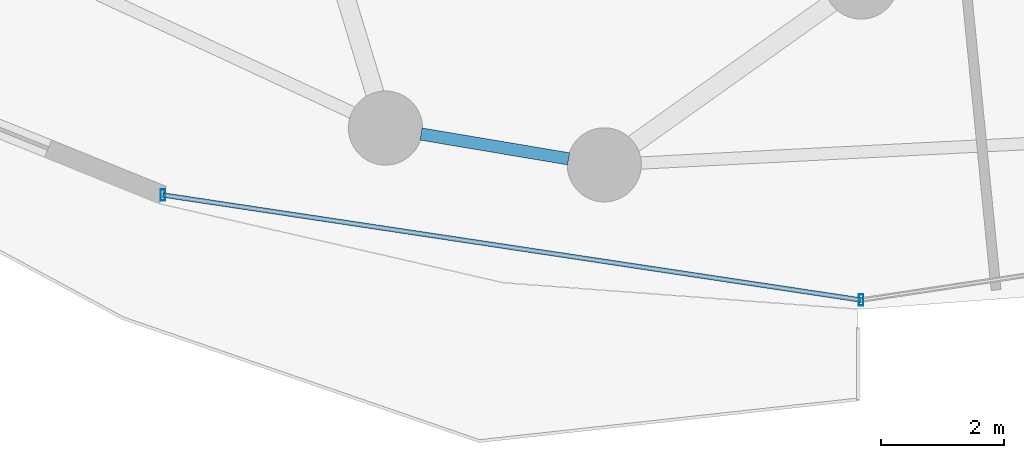
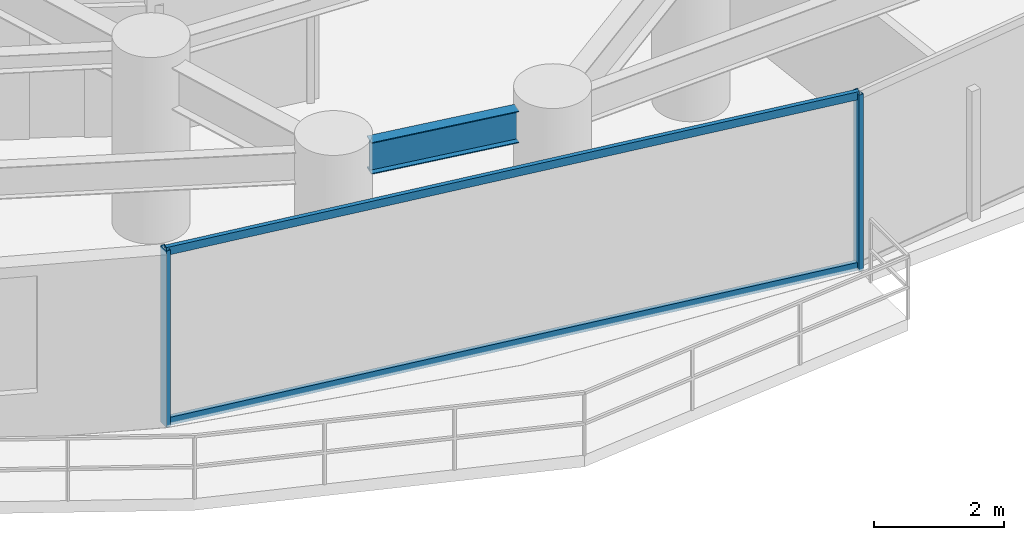
# One storey, part 5 of 33: 4 members, 1 beam, 1 element without a shape of its own.
"""IFC4 building model written with IfcOpenShell, lengths in metres."""

from ifc_helpers import new_model, si_unit, direction, frame, origin, origin_2d, place, context, subcontext, project, spatial, hollow_rectangle, i_section, extrude, material, material_profile, profile_set, type_object, element, aggregate, save


model = new_model("IFC4")

# Units and contexts
model_context = context("Model", 3, precision=1e-05, world=origin(), true_north=direction((0.0, 1.0)))
body_context = subcontext(model_context, "Body", "Model", "MODEL_VIEW")
ifc_project = project(units=[si_unit("LENGTHUNIT", "METRE"), si_unit("AREAUNIT", "SQUARE_METRE"), si_unit("VOLUMEUNIT", "CUBIC_METRE"), si_unit("PLANEANGLEUNIT", "RADIAN"), si_unit("MASSUNIT", "GRAM", prefix="KILO")], contexts=[model_context])

# Site, building, storey
site_placement = place(None, origin())
site = spatial("IfcSite", under=ifc_project, at=site_placement, CompositionType="ELEMENT")
building_placement = place(site_placement, origin())
building = spatial("IfcBuilding", under=site, at=building_placement, Name="Vorneva Point Tower", CompositionType="ELEMENT")
storey_placement = place(building_placement, frame((0.0, 0.0, 59.0)))
storey = spatial("IfcBuildingStorey", under=building, at=storey_placement, Name="L15", CompositionType="ELEMENT", Elevation=59.0)

# Beam
ifc_material_1 = material(Name="Steel S355", Category="steel")
ifc_material_profile_1 = material_profile(ifc_material_1, i_section(OverallWidth=0.198974609375, OverallDepth=0.595947265625, WebThickness=0.010009765625, FlangeThickness=0.014892578125, at=origin_2d()), Name="60B1")
ifc_profile_set_1 = profile_set([ifc_material_profile_1], Name="Steel S355")
beam_type = type_object("IfcBeamType", Name="BM-SPN-60B1", PredefinedType="SPANDREL", material=ifc_profile_set_1)
beam_placement = place(storey_placement, frame((30.873779296875, 6.33837890625, 2.94189453125), z_axis=(0.986169723711, -0.165738577391, 0.0), x_axis=(0.165738577391, 0.986169723711, 0.0)))
element("IfcBeam", 1, at=beam_placement, inside=storey, type_object=beam_type, Name="L15 Perimeter Spandrel Ring Beam 12", PredefinedType="SPANDREL", context=body_context, shape_type="SweptSolid", body=[
    extrude(i_section(OverallWidth=0.198974609375, OverallDepth=0.595947265625, WebThickness=0.010009765625, FlangeThickness=0.014892578125, at=origin_2d()), origin(), (0.0, 0.0, 1.0), 2.423095703125),
])

# Curtain wall, members
ifc_material_2 = material(Name="Pale anodised aluminium", Category="aluminium")
curtain_wall_type = type_object("IfcCurtainWallType", Name="CW-HTL-SYS", PredefinedType="NOTDEFINED", material=ifc_material_2)
curtain_wall_placement = place(storey_placement, origin())
curtain_wall = element("IfcCurtainWall", 2, at=curtain_wall_placement, inside=storey, type_object=curtain_wall_type, Name="L15 Unitised Curtain Wall CW-L15-R04", PredefinedType="NOTDEFINED")
ifc_material_profile_2 = material_profile(ifc_material_2, hollow_rectangle(XDim=0.074951171875, YDim=0.179931640625, WallThickness=0.00390625, at=origin_2d()), Name="AL-MUL 180x75x4")
ifc_profile_set_2 = profile_set([ifc_material_profile_2], Name="Pale anodised aluminium")
member_type_1 = type_object("IfcMemberType", Name="CW-MUL-180", PredefinedType="MULLION", material=ifc_profile_set_2)
member_1_placement = place(storey_placement, frame((26.691650390625, 5.351318359375, -0.0400390625), z_axis=(0.0, 0.0, 1.0), x_axis=(1.0, 0.0, 0.0)))
member_1 = element("IfcMember", 3, at=member_1_placement, type_object=member_type_1, Name="CW-L15-R04 Mullion 01", PredefinedType="MULLION", context=body_context, shape_type="SweptSolid", body=[
    extrude(hollow_rectangle(XDim=0.074951171875, YDim=0.179931640625, WallThickness=0.00390625, at=origin_2d()), origin(), (0.0, 0.0, 1.0), 3.31005859375),
])
member_2_placement = place(storey_placement, frame((38.0, 3.64990234375, -0.0400390625), z_axis=(0.0, 0.0, 1.0), x_axis=(1.0, 0.0, 0.0)))
member_2 = element("IfcMember", 4, at=member_2_placement, type_object=member_type_1, Name="CW-L15-R04 Mullion 02", PredefinedType="MULLION", context=body_context, shape_type="SweptSolid", body=[
    extrude(hollow_rectangle(XDim=0.074951171875, YDim=0.179931640625, WallThickness=0.00390625, at=origin_2d()), origin(), (0.0, 0.0, 1.0), 3.31005859375),
])
ifc_material_profile_3 = material_profile(ifc_material_2, hollow_rectangle(XDim=0.074951171875, YDim=0.14990234375, WallThickness=0.00390625, at=origin_2d()), Name="AL-TRN 150x75x4")
ifc_profile_set_3 = profile_set([ifc_material_profile_3], Name="Pale anodised aluminium")
member_type_2 = type_object("IfcMemberType", Name="CW-TRN-150", PredefinedType="USERDEFINED", material=ifc_profile_set_3)
member_3_placement = place(storey_placement, frame((26.691650390625, 5.351318359375, 0.02001953125), z_axis=(0.988870014575, -0.148782036131, 0.0), x_axis=(0.148782036131, 0.988870014575, 0.0)))
member_3 = element("IfcMember", 5, at=member_3_placement, type_object=member_type_2, Name="CW-L15-R04 Transom 01.1", ObjectType="TRANSOM", PredefinedType="USERDEFINED", context=body_context, shape_type="SweptSolid", body=[
    extrude(hollow_rectangle(XDim=0.074951171875, YDim=0.14990234375, WallThickness=0.00390625, at=origin_2d()), origin(), (0.0, 0.0, 1.0), 11.435546875),
])
member_4_placement = place(storey_placement, frame((26.691650390625, 5.351318359375, 3.219970703125), z_axis=(0.988870014575, -0.148782036131, 0.0), x_axis=(0.148782036131, 0.988870014575, 0.0)))
member_4 = element("IfcMember", 6, at=member_4_placement, type_object=member_type_2, Name="CW-L15-R04 Transom 01.2", ObjectType="TRANSOM", PredefinedType="USERDEFINED", context=body_context, shape_type="SweptSolid", body=[
    extrude(hollow_rectangle(XDim=0.074951171875, YDim=0.14990234375, WallThickness=0.00390625, at=origin_2d()), origin(), (0.0, 0.0, 1.0), 11.435546875),
])
aggregate(curtain_wall, [member_1, member_2, member_3, member_4])

save(model, "model.ifc")
